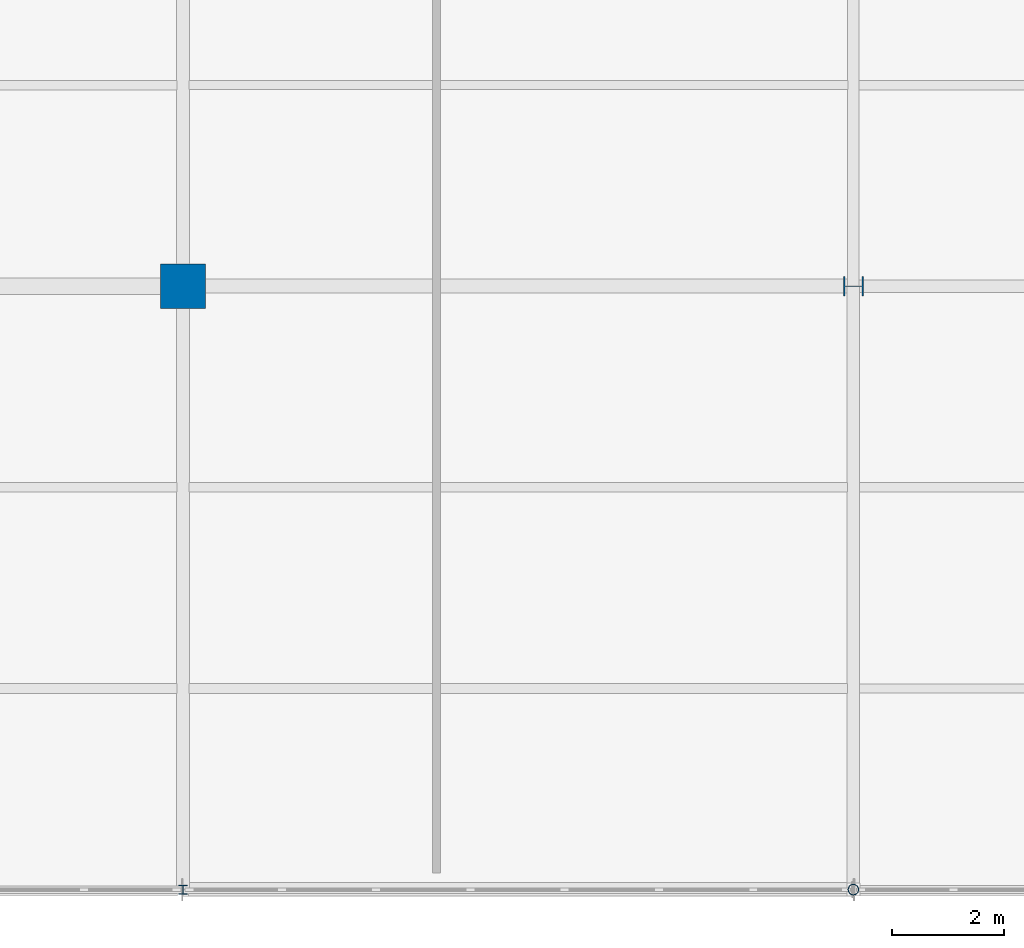
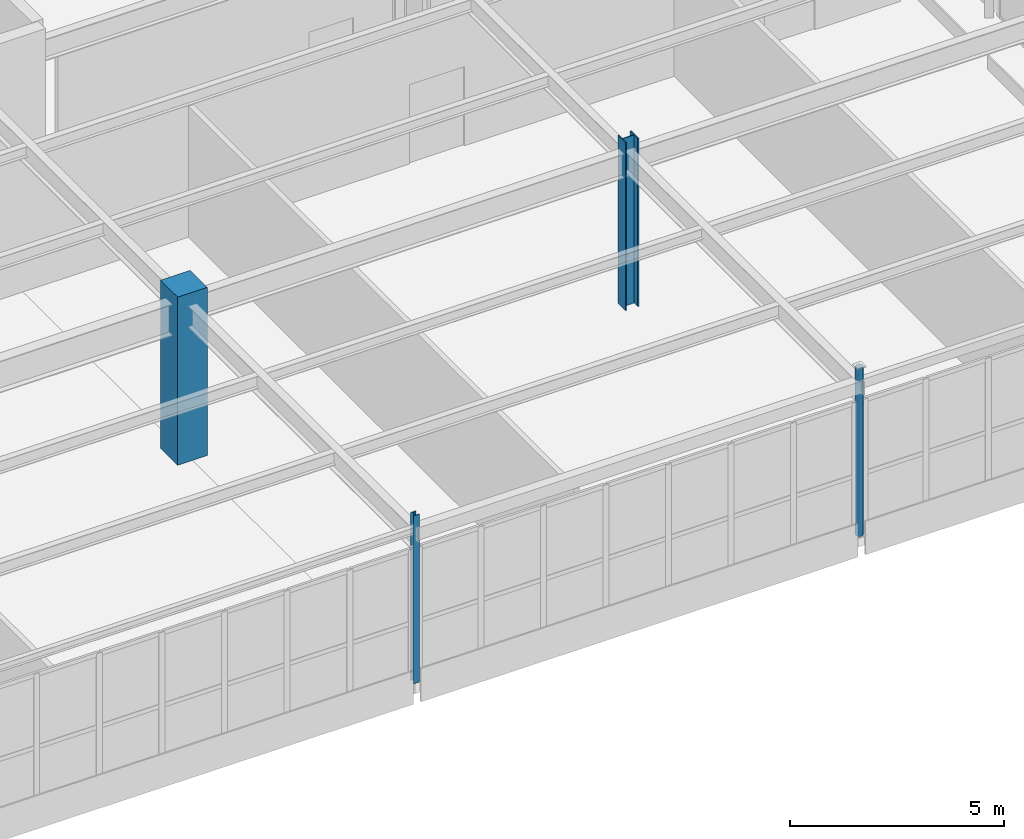
# One storey, part 42 of 226: 4 columns.
"""IFC4 building model written with IfcOpenShell, lengths in metres."""

from ifc_helpers import new_model, si_unit, direction, frame, origin, origin_2d, place, context, subcontext, project, spatial, rectangle, hollow_circle, i_section, extrude, material, material_profile, profile_set, type_object, element, save


model = new_model("IFC4")

# Units and contexts
model_context = context("Model", 3, precision=1e-05, world=origin(), true_north=direction((0.0, 1.0)))
body_context = subcontext(model_context, "Body", "Model", "MODEL_VIEW")
ifc_project = project(units=[si_unit("LENGTHUNIT", "METRE"), si_unit("AREAUNIT", "SQUARE_METRE"), si_unit("VOLUMEUNIT", "CUBIC_METRE"), si_unit("PLANEANGLEUNIT", "RADIAN"), si_unit("MASSUNIT", "GRAM", prefix="KILO")], contexts=[model_context])

# Site, building, storey
site_placement = place(None, origin())
site = spatial("IfcSite", under=ifc_project, at=site_placement, CompositionType="ELEMENT")
building_placement = place(site_placement, origin())
building = spatial("IfcBuilding", under=site, at=building_placement, Name="Tarnwether General Hospital", CompositionType="ELEMENT")
storey_placement = place(building_placement, frame((0.0, 0.0, 4.800048828125)))
storey = spatial("IfcBuildingStorey", under=building, at=storey_placement, Name="L01", CompositionType="ELEMENT", Elevation=4.800048828125)

# Columns
ifc_material_1 = material(Name="Steel Grade 350 (350 MPa)", Category="steel")
ifc_material_profile_1 = material_profile(ifc_material_1, i_section(OverallWidth=0.35009765625, OverallDepth=0.360107421875, WebThickness=0.01611328125, FlangeThickness=0.028076171875, at=origin_2d()), Name="350WC230")
ifc_profile_set_1 = profile_set([ifc_material_profile_1], Name="Steel Grade 350 (350 MPa)")
column_type_1 = type_object("IfcColumnType", Name="COL-03", PredefinedType="COLUMN", material=ifc_profile_set_1)
column_1_placement = place(storey_placement, frame((180.0, 10.800048828125, 0.0), z_axis=(0.0, 0.0, 1.0), x_axis=(0.0, 1.0, 0.0)))
element("IfcColumn", 1, at=column_1_placement, inside=storey, type_object=column_type_1, Name="Column COLG-L01-18000_1080", PredefinedType="COLUMN", context=body_context, shape_type="SweptSolid", body=[
    extrude(i_section(OverallWidth=0.35009765625, OverallDepth=0.360107421875, WebThickness=0.01611328125, FlangeThickness=0.028076171875, at=origin_2d()), origin(), (0.0, 0.0, 1.0), 4.800048828125),
])
ifc_material_2 = material(Name="Concrete 50 MPa", Category="concrete")
ifc_material_profile_2 = material_profile(ifc_material_2, rectangle(XDim=0.800048828125, YDim=0.800048828125, at=origin_2d()), Name="RC-COL-800x800")
ifc_profile_set_2 = profile_set([ifc_material_profile_2], Name="Concrete 50 MPa")
column_type_2 = type_object("IfcColumnType", Name="COL-16", PredefinedType="COLUMN", material=ifc_profile_set_2)
column_2_placement = place(storey_placement, frame((168.0, 10.800048828125, 0.0), z_axis=(0.0, 0.0, 1.0), x_axis=(1.0, 0.0, 0.0)))
element("IfcColumn", 2, at=column_2_placement, inside=storey, type_object=column_type_2, Name="Column COLG-L01-16800_1080", PredefinedType="COLUMN", context=body_context, shape_type="SweptSolid", body=[
    extrude(rectangle(XDim=0.800048828125, YDim=0.800048828125, at=origin_2d()), origin(), (0.0, 0.0, 1.0), 4.800048828125),
])
ifc_material_3 = material(Name="Steel Grade C350L0 (350 MPa)", Category="steel")
ifc_material_profile_3 = material_profile(ifc_material_3, hollow_circle(Radius=0.096923828125, WallThickness=0.008056640625, at=origin_2d()), Name="CHS193.7x8.0")
ifc_profile_set_3 = profile_set([ifc_material_profile_3], Name="Steel Grade C350L0 (350 MPa)")
column_type_3 = type_object("IfcColumnType", Name="COL-29", PredefinedType="COLUMN", material=ifc_profile_set_3)
column_3_placement = place(storey_placement, frame((180.0, 0.0, 0.0), z_axis=(0.0, 0.0, 1.0), x_axis=(0.0, 1.0, 0.0)))
element("IfcColumn", 3, at=column_3_placement, inside=storey, type_object=column_type_3, Name="Column COLG-L01-18000_0", PredefinedType="COLUMN", context=body_context, shape_type="SweptSolid", body=[
    extrude(hollow_circle(Radius=0.096923828125, WallThickness=0.008056640625, at=origin_2d()), origin(), (0.0, 0.0, 1.0), 4.800048828125),
])
ifc_material_4 = material(Name="Steel Grade 350 (350 MPa)", Category="steel")
ifc_material_profile_4 = material_profile(ifc_material_4, i_section(OverallWidth=0.153076171875, OverallDepth=0.157958984375, WebThickness=0.006591796875, FlangeThickness=0.009521484375, at=origin_2d()), Name="150UC30.0")
ifc_profile_set_4 = profile_set([ifc_material_profile_4], Name="Steel Grade 350 (350 MPa)")
column_type_4 = type_object("IfcColumnType", Name="COL-31", PredefinedType="COLUMN", material=ifc_profile_set_4)
column_4_placement = place(storey_placement, frame((168.0, 0.0, 0.0), z_axis=(0.0, 0.0, 1.0), x_axis=(1.0, 0.0, 0.0)))
element("IfcColumn", 4, at=column_4_placement, inside=storey, type_object=column_type_4, Name="Column COLG-L01-16800_0", PredefinedType="COLUMN", context=body_context, shape_type="SweptSolid", body=[
    extrude(i_section(OverallWidth=0.153076171875, OverallDepth=0.157958984375, WebThickness=0.006591796875, FlangeThickness=0.009521484375, at=origin_2d()), origin(), (0.0, 0.0, 1.0), 4.800048828125),
])

save(model, "model.ifc")
